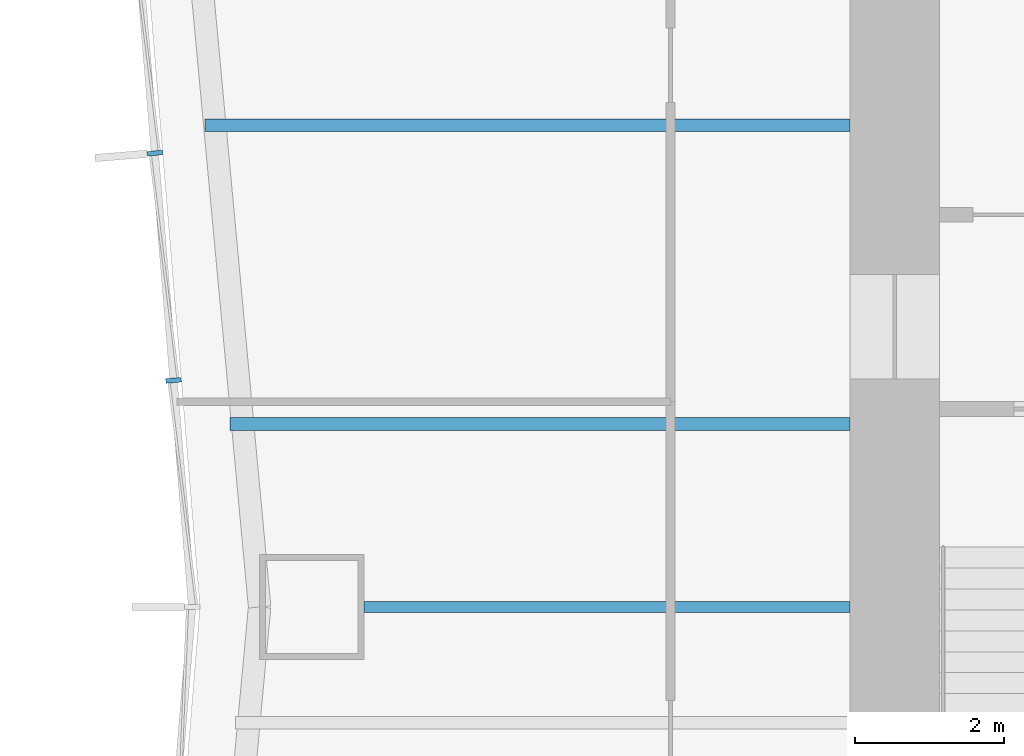
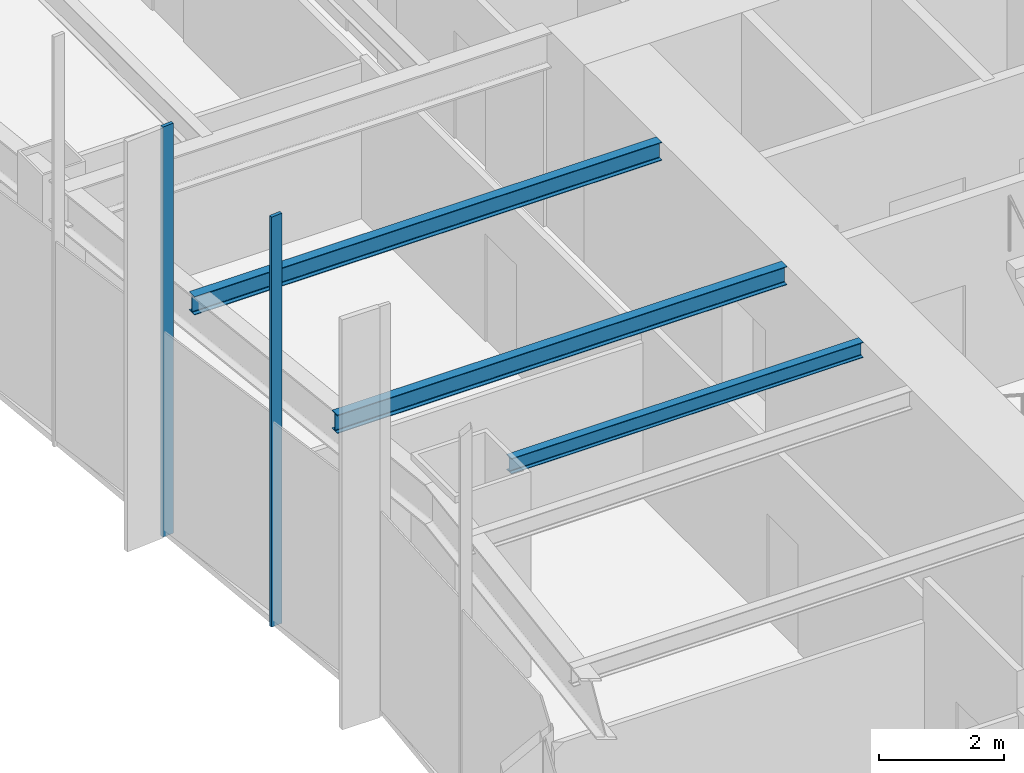
# One storey, part 3 of 13: 3 beams, 2 members, 1 element without a shape of its own.
"""IFC4 building model written with IfcOpenShell, lengths in metres."""

from ifc_helpers import new_model, si_unit, direction, frame, origin, origin_2d, place, context, subcontext, project, spatial, rectangle, i_section, extrude, material, material_profile, profile_set, type_object, element, aggregate, save


model = new_model("IFC4")

# Units and contexts
model_context = context("Model", 3, precision=1e-05, world=origin(), true_north=direction((0.0, 1.0)))
body_context = subcontext(model_context, "Body", "Model", "MODEL_VIEW")
ifc_project = project(units=[si_unit("LENGTHUNIT", "METRE"), si_unit("AREAUNIT", "SQUARE_METRE"), si_unit("VOLUMEUNIT", "CUBIC_METRE"), si_unit("PLANEANGLEUNIT", "RADIAN"), si_unit("MASSUNIT", "GRAM", prefix="KILO")], contexts=[model_context])

# Site, building, storey
site_placement = place(None, origin())
site = spatial("IfcSite", under=ifc_project, at=site_placement, CompositionType="ELEMENT")
building_placement = place(site_placement, origin())
building = spatial("IfcBuilding", under=site, at=building_placement, Name="Verdant Reach Tower", CompositionType="ELEMENT")
storey_placement = place(building_placement, frame((0.0, 0.0, 106.0)))
storey = spatial("IfcBuildingStorey", under=building, at=storey_placement, Name="L24", CompositionType="ELEMENT", Elevation=106.0)

# Curtain wall, members
ifc_material_1 = material(Name="Anodised aluminium", Category="aluminium")
curtain_wall_type = type_object("IfcCurtainWallType", Name="EN-CW SYSTEM Z1", PredefinedType="NOTDEFINED", material=ifc_material_1)
curtain_wall_placement = place(storey_placement, origin())
curtain_wall = element("IfcCurtainWall", 1, at=curtain_wall_placement, inside=storey, type_object=curtain_wall_type, Name="Curtain wall west, L24", PredefinedType="NOTDEFINED")
ifc_material_profile_1 = material_profile(ifc_material_1, rectangle(XDim=0.2060546875, YDim=0.06201171875, at=origin_2d()), Name="Mullion 62x206")
ifc_profile_set_1 = profile_set([ifc_material_profile_1], Name="Anodised aluminium")
member_type = type_object("IfcMemberType", Name="EN-MULLION Z1", PredefinedType="MULLION", material=ifc_profile_set_1)
member_1_placement = place(storey_placement, frame((-23.1025390625, 34.824951171875, -0.35009765625), z_axis=(0.0, 0.0, 1.0), x_axis=(-0.996639273542, -0.081915556724, 0.0)))
member_1 = element("IfcMember", 2, at=member_1_placement, type_object=member_type, Name="Mullion west face part 1 5, L24", PredefinedType="MULLION", context=body_context, shape_type="SweptSolid", body=[
    extrude(rectangle(XDim=0.2060546875, YDim=0.06201171875, at=origin_2d()), origin(), (0.0, 0.0, 1.0), 8.0),
])
member_2_placement = place(storey_placement, frame((-22.8525390625, 31.783203125, -0.35009765625), z_axis=(0.0, 0.0, 1.0), x_axis=(-0.996639273542, -0.081915556724, 0.0)))
member_2 = element("IfcMember", 3, at=member_2_placement, type_object=member_type, Name="Mullion west face part 1 6, L24", PredefinedType="MULLION", context=body_context, shape_type="SweptSolid", body=[
    extrude(rectangle(XDim=0.2060546875, YDim=0.06201171875, at=origin_2d()), origin(), (0.0, 0.0, 1.0), 8.0),
])
aggregate(curtain_wall, [member_1, member_2])

# Beams
ifc_material_2 = material(Name="Steel S355", Category="steel")
ifc_material_profile_2 = material_profile(ifc_material_2, i_section(OverallWidth=0.14990234375, OverallDepth=0.300048828125, WebThickness=0.007080078125, FlangeThickness=0.0107421875, FilletRadius=0.014892578125, at=origin_2d()), Name="IPE 300")
ifc_profile_set_2 = profile_set([ifc_material_profile_2], Name="Steel S355")
beam_type_1 = type_object("IfcBeamType", Name="ST-JOIST-IPE300", PredefinedType="JOIST", material=ifc_profile_set_2)
beam_1_placement = place(storey_placement, frame((-13.800048828125, 28.75, 3.719970703125), z_axis=(-1.0, 0.0, 0.0), x_axis=(0.0, -1.0, 0.0)))
element("IfcBeam", 4, at=beam_1_placement, inside=storey, type_object=beam_type_1, Name="Floor joist, L24", PredefinedType="JOIST", context=body_context, shape_type="SweptSolid", body=[
    extrude(i_section(OverallWidth=0.14990234375, OverallDepth=0.300048828125, WebThickness=0.007080078125, FlangeThickness=0.0107421875, FilletRadius=0.014892578125, at=origin_2d()), origin(), (0.0, 0.0, 1.0), 6.5),
])
ifc_material_profile_3 = material_profile(ifc_material_2, i_section(OverallWidth=0.169921875, OverallDepth=0.360107421875, WebThickness=0.008056640625, FlangeThickness=0.0126953125, FilletRadius=0.01806640625, at=origin_2d()), Name="IPE 360")
ifc_profile_set_3 = profile_set([ifc_material_profile_3], Name="Steel S355")
beam_type_2 = type_object("IfcBeamType", Name="ST-JOIST-IPE360", PredefinedType="JOIST", material=ifc_profile_set_3)
beam_2_placement = place(storey_placement, frame((-13.800048828125, 31.199951171875, 3.68994140625), z_axis=(-1.0, 0.0, 0.0), x_axis=(0.0, -1.0, 0.0)))
element("IfcBeam", 5, at=beam_2_placement, inside=storey, type_object=beam_type_2, Name="Floor joist, L24", PredefinedType="JOIST", context=body_context, shape_type="SweptSolid", body=[
    extrude(i_section(OverallWidth=0.169921875, OverallDepth=0.360107421875, WebThickness=0.008056640625, FlangeThickness=0.0126953125, FilletRadius=0.01806640625, at=origin_2d()), origin(), (0.0, 0.0, 1.0), 8.29931640625),
])
beam_3_placement = place(storey_placement, frame((-13.800048828125, 35.199951171875, 3.68994140625), z_axis=(-1.0, 0.0, 0.0), x_axis=(0.0, -1.0, 0.0)))
element("IfcBeam", 6, at=beam_3_placement, inside=storey, type_object=beam_type_2, Name="Floor joist, L24", PredefinedType="JOIST", context=body_context, shape_type="SweptSolid", body=[
    extrude(i_section(OverallWidth=0.169921875, OverallDepth=0.360107421875, WebThickness=0.008056640625, FlangeThickness=0.0126953125, FilletRadius=0.01806640625, at=origin_2d()), origin(), (0.0, 0.0, 1.0), 8.6279296875),
])

save(model, "model.ifc")
